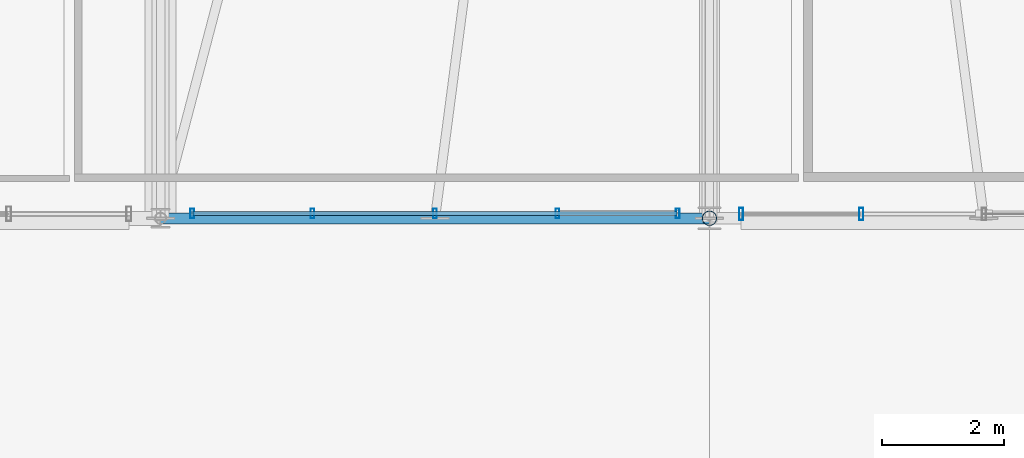
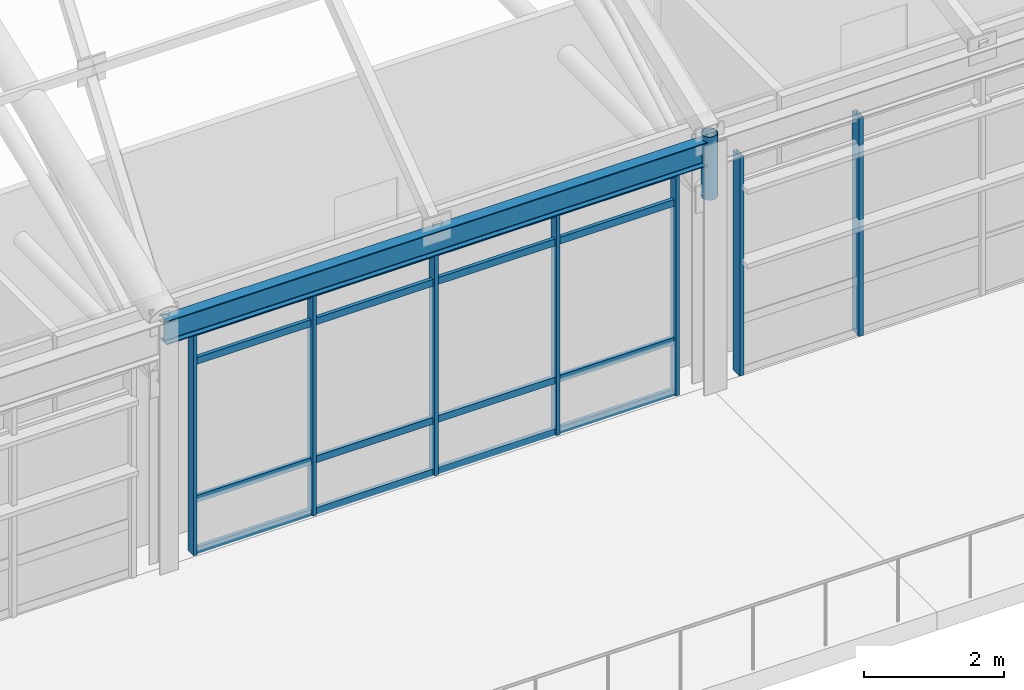
# One storey, part 22 of 168: 12 members, 1 beam, 2 elements without a shape of their own.
"""IFC4 building model written with IfcOpenShell, lengths in metres."""

from ifc_helpers import new_model, si_unit, direction, frame, origin, origin_2d, place, context, subcontext, project, spatial, hollow_rectangle, hollow_circle, i_section, extrude, material, material_profile, profile_set, type_object, element, aggregate, save


model = new_model("IFC4")

# Units and contexts
model_context = context("Model", 3, precision=1e-05, world=origin(), true_north=direction((0.0, 1.0)))
body_context = subcontext(model_context, "Body", "Model", "MODEL_VIEW")
ifc_project = project(units=[si_unit("LENGTHUNIT", "METRE"), si_unit("AREAUNIT", "SQUARE_METRE"), si_unit("VOLUMEUNIT", "CUBIC_METRE"), si_unit("PLANEANGLEUNIT", "RADIAN"), si_unit("MASSUNIT", "GRAM", prefix="KILO"), si_unit("THERMODYNAMICTEMPERATUREUNIT", "KELVIN"), si_unit("POWERUNIT", "WATT")], contexts=[model_context])

# Site, building, storey
site_placement = place(None, origin())
site = spatial("IfcSite", under=ifc_project, at=site_placement, CompositionType="ELEMENT")
building_placement = place(site_placement, origin())
building = spatial("IfcBuilding", under=site, at=building_placement, Name="Tepalcoro Natatorium and Aquatics Centre", CompositionType="ELEMENT")
storey_placement = place(building_placement, frame((0.0, 0.0, 10.199951171875)))
storey = spatial("IfcBuildingStorey", under=building, at=storey_placement, Name="L02", CompositionType="ELEMENT", Elevation=10.199951171875)

# Curtain wall, members
ifc_material_1 = material(Name="Bronze-Anodised Extruded Aluminium Alloy EN AW-6063 T6", Category="aluminium")
curtain_wall_type_1 = type_object("IfcCurtainWallType", Name="CW_V5_LOWER", PredefinedType="USERDEFINED", material=ifc_material_1)
curtain_wall_1_placement = place(storey_placement, origin())
curtain_wall_1 = element("IfcCurtainWall", 1, at=curtain_wall_1_placement, inside=storey, type_object=curtain_wall_type_1, Name="V1 L02 S Unitised Curtain Wall Bay 4", ObjectType="UNITISED STOREFRONT", PredefinedType="USERDEFINED")
ifc_material_profile_1 = material_profile(ifc_material_1, hollow_rectangle(XDim=0.06005859375, YDim=0.159912109375, WallThickness=0.00390625, at=origin_2d()), Name="AL60X160X4")
ifc_profile_set_1 = profile_set([ifc_material_profile_1], Name="Bronze-Anodised Extruded Aluminium Alloy EN AW-6063 T6")
member_type_1 = type_object("IfcMemberType", Name="CW_MUL_60x160", PredefinedType="MULLION", material=ifc_profile_set_1)
member_1_placement = place(storey_placement, frame((80.52001953125, 13.080078125, 0.02001953125), z_axis=(0.0, 0.0, 1.0), x_axis=(1.0, 0.0, 0.0)))
member_1 = element("IfcMember", 2, at=member_1_placement, type_object=member_type_1, Name="CW_V5_LOWER Curtain Wall Mullion", PredefinedType="MULLION", context=body_context, shape_type="SweptSolid", body=[
    extrude(hollow_rectangle(XDim=0.06005859375, YDim=0.159912109375, WallThickness=0.00390625, at=origin_2d()), origin(), (0.0, 0.0, 1.0), 3.866943359375),
])
member_2_placement = place(storey_placement, frame((82.489990234375, 13.080078125, 0.02001953125), z_axis=(0.0, 0.0, 1.0), x_axis=(1.0, 0.0, 0.0)))
member_2 = element("IfcMember", 3, at=member_2_placement, type_object=member_type_1, Name="CW_V5_LOWER Curtain Wall Mullion", PredefinedType="MULLION", context=body_context, shape_type="SweptSolid", body=[
    extrude(hollow_rectangle(XDim=0.06005859375, YDim=0.159912109375, WallThickness=0.00390625, at=origin_2d()), origin(), (0.0, 0.0, 1.0), 3.866943359375),
])
member_3_placement = place(storey_placement, frame((84.5, 13.080078125, 0.02001953125), z_axis=(0.0, 0.0, 1.0), x_axis=(1.0, 0.0, 0.0)))
member_3 = element("IfcMember", 4, at=member_3_placement, type_object=member_type_1, Name="CW_V5_LOWER Curtain Wall Mullion", PredefinedType="MULLION", context=body_context, shape_type="SweptSolid", body=[
    extrude(hollow_rectangle(XDim=0.06005859375, YDim=0.159912109375, WallThickness=0.00390625, at=origin_2d()), origin(), (0.0, 0.0, 1.0), 3.866943359375),
])
member_4_placement = place(storey_placement, frame((86.510009765625, 13.080078125, 0.02001953125), z_axis=(0.0, 0.0, 1.0), x_axis=(1.0, 0.0, 0.0)))
member_4 = element("IfcMember", 5, at=member_4_placement, type_object=member_type_1, Name="CW_V5_LOWER Curtain Wall Mullion", PredefinedType="MULLION", context=body_context, shape_type="SweptSolid", body=[
    extrude(hollow_rectangle(XDim=0.06005859375, YDim=0.159912109375, WallThickness=0.00390625, at=origin_2d()), origin(), (0.0, 0.0, 1.0), 3.866943359375),
])
member_5_placement = place(storey_placement, frame((88.47998046875, 13.080078125, 0.02001953125), z_axis=(0.0, 0.0, 1.0), x_axis=(1.0, 0.0, 0.0)))
member_5 = element("IfcMember", 6, at=member_5_placement, type_object=member_type_1, Name="CW_V5_LOWER Curtain Wall Mullion", PredefinedType="MULLION", context=body_context, shape_type="SweptSolid", body=[
    extrude(hollow_rectangle(XDim=0.06005859375, YDim=0.159912109375, WallThickness=0.00390625, at=origin_2d()), origin(), (0.0, 0.0, 1.0), 3.866943359375),
])

curtain_wall_type_2 = type_object("IfcCurtainWallType", Name="CW_V5_UPPER", PredefinedType="USERDEFINED", material=ifc_material_1)
curtain_wall_2_placement = place(storey_placement, origin())
curtain_wall_2 = element("IfcCurtainWall", 7, at=curtain_wall_2_placement, inside=storey, type_object=curtain_wall_type_2, Name="V1 L02 S Unitised Curtain Wall Bay 5", ObjectType="FACETED SOLAR GLAZING", PredefinedType="USERDEFINED")
ifc_material_profile_2 = material_profile(ifc_material_1, hollow_rectangle(XDim=0.070068359375, YDim=0.199951171875, WallThickness=0.0048828125, at=origin_2d()), Name="AL70X200X5")
ifc_profile_set_2 = profile_set([ifc_material_profile_2], Name="Bronze-Anodised Extruded Aluminium Alloy EN AW-6063 T6")
member_type_2 = type_object("IfcMemberType", Name="CW_MUL_70x200", PredefinedType="MULLION", material=ifc_profile_set_2)
member_6_placement = place(storey_placement, frame((89.52001953125, 13.0712890625, 0.02001953125), z_axis=(0.0, 0.0, 1.0), x_axis=(1.0, 0.0, 0.0)))
member_6 = element("IfcMember", 8, at=member_6_placement, type_object=member_type_2, Name="CW_V5_UPPER Curtain Wall Mullion", PredefinedType="MULLION", context=body_context, shape_type="SweptSolid", body=[
    extrude(hollow_rectangle(XDim=0.070068359375, YDim=0.199951171875, WallThickness=0.0048828125, at=origin_2d()), origin(), (0.0, 0.0, 1.0), 3.820068359375),
])
member_7_placement = place(storey_placement, frame((91.489990234375, 13.0712890625, 0.02001953125), z_axis=(0.0, 0.0, 1.0), x_axis=(1.0, 0.0, 0.0)))
member_7 = element("IfcMember", 9, at=member_7_placement, type_object=member_type_2, Name="CW_V5_UPPER Curtain Wall Mullion", PredefinedType="MULLION", context=body_context, shape_type="SweptSolid", body=[
    extrude(hollow_rectangle(XDim=0.070068359375, YDim=0.199951171875, WallThickness=0.0048828125, at=origin_2d()), origin(), (0.0, 0.0, 1.0), 3.820068359375),
])
aggregate(curtain_wall_2, [member_6, member_7])

# Member
ifc_material_profile_3 = material_profile(ifc_material_1, hollow_rectangle(XDim=0.06005859375, YDim=0.1201171875, WallThickness=0.00390625, at=origin_2d()), Name="AL60X120X4")
ifc_profile_set_3 = profile_set([ifc_material_profile_3], Name="Bronze-Anodised Extruded Aluminium Alloy EN AW-6063 T6")
member_type_3 = type_object("IfcMemberType", Name="CW_TRN_60x120", PredefinedType="USERDEFINED", material=ifc_profile_set_3)
member_8_placement = place(storey_placement, frame((80.530029296875, 13.080078125, 0.050048828125), z_axis=(1.0, 0.0, 0.0), x_axis=(0.0, 1.0, 0.0)))
member_8 = element("IfcMember", 10, at=member_8_placement, type_object=member_type_3, Name="CW_V5_LOWER Curtain Wall Transom", ObjectType="TRANSOM", PredefinedType="USERDEFINED", context=body_context, shape_type="SweptSolid", body=[
    extrude(hollow_rectangle(XDim=0.06005859375, YDim=0.1201171875, WallThickness=0.00390625, at=origin_2d()), origin(), (0.0, 0.0, 1.0), 7.93994140625),
])

member_9_placement = place(storey_placement, frame((80.530029296875, 13.080078125, 0.949951171875), z_axis=(1.0, 0.0, 0.0), x_axis=(0.0, 1.0, 0.0)))
member_9 = element("IfcMember", 11, at=member_9_placement, type_object=member_type_3, Name="CW_V5_LOWER Curtain Wall Transom", ObjectType="TRANSOM", PredefinedType="USERDEFINED", context=body_context, shape_type="SweptSolid", body=[
    extrude(hollow_rectangle(XDim=0.06005859375, YDim=0.1201171875, WallThickness=0.00390625, at=origin_2d()), origin(), (0.0, 0.0, 1.0), 7.93994140625),
])

member_10_placement = place(storey_placement, frame((80.530029296875, 13.080078125, 3.35693359375), z_axis=(1.0, 0.0, 0.0), x_axis=(0.0, 1.0, 0.0)))
member_10 = element("IfcMember", 12, at=member_10_placement, type_object=member_type_3, Name="CW_V5_LOWER Curtain Wall Transom", ObjectType="TRANSOM", PredefinedType="USERDEFINED", context=body_context, shape_type="SweptSolid", body=[
    extrude(hollow_rectangle(XDim=0.06005859375, YDim=0.1201171875, WallThickness=0.00390625, at=origin_2d()), origin(), (0.0, 0.0, 1.0), 7.93994140625),
])

member_11_placement = place(storey_placement, frame((80.530029296875, 13.080078125, 3.85693359375), z_axis=(1.0, 0.0, 0.0), x_axis=(0.0, 1.0, 0.0)))
member_11 = element("IfcMember", 13, at=member_11_placement, type_object=member_type_3, Name="CW_V5_LOWER Curtain Wall Transom", ObjectType="TRANSOM", PredefinedType="USERDEFINED", context=body_context, shape_type="SweptSolid", body=[
    extrude(hollow_rectangle(XDim=0.06005859375, YDim=0.1201171875, WallThickness=0.00390625, at=origin_2d()), origin(), (0.0, 0.0, 1.0), 7.93994140625),
])

aggregate(curtain_wall_1, [member_1, member_2, member_3, member_4, member_5, member_8, member_9, member_10, member_11])

ifc_material_2 = material(Name="Terracotta Painted Hollow Steel ASTM A500 Grade C (Fy 345 MPa)", Category="masonry")
ifc_material_profile_4 = material_profile(ifc_material_2, hollow_circle(Radius=0.1220703125, WallThickness=0.011962890625, at=origin_2d()), Name="CHS244X12")
ifc_profile_set_4 = profile_set([ifc_material_profile_4], Name="Terracotta Painted Hollow Steel ASTM A500 Grade C (Fy 345 MPa)")
member_type_4 = type_object("IfcMemberType", Name="MB_PS_CHS244x12", PredefinedType="POST", material=ifc_profile_set_4)
member_12_placement = place(storey_placement, frame((89.0, 13.0, 3.324951171875), z_axis=(0.0, 0.0, 1.0), x_axis=(1.0, 0.0, 0.0)))
element("IfcMember", 14, at=member_12_placement, inside=storey, type_object=member_type_4, Name="V1 Arched Truss Vertical Post 5", PredefinedType="POST", context=body_context, shape_type="SweptSolid", body=[
    extrude(hollow_circle(Radius=0.1220703125, WallThickness=0.011962890625, at=origin_2d()), origin(), (0.0, 0.0, 1.0), 1.10009765625),
])

# Beam
ifc_material_3 = material(Name="Steel ASTM A992 Grade 50 (Fy 345 MPa)", Category="steel")
ifc_material_profile_5 = material_profile(ifc_material_3, i_section(OverallWidth=0.179931640625, OverallDepth=0.4130859375, WebThickness=0.010009765625, FlangeThickness=0.01611328125, FilletRadius=0.013916015625, at=origin_2d()), Name="W16X50")
ifc_profile_set_5 = profile_set([ifc_material_profile_5], Name="Steel ASTM A992 Grade 50 (Fy 345 MPa)")
beam_type = type_object("IfcBeamType", Name="SP_HSS300x200x12", PredefinedType="SPANDREL", material=ifc_profile_set_5)
beam_placement = place(storey_placement, frame((80.0, 13.0, 4.128662109375), z_axis=(1.0, 0.0, 0.0), x_axis=(0.0, 1.0, 0.0)))
element("IfcBeam", 15, at=beam_placement, inside=storey, type_object=beam_type, Name="V1 L02 Grid Girder X", PredefinedType="SPANDREL", context=body_context, shape_type="SweptSolid", body=[
    extrude(i_section(OverallWidth=0.179931640625, OverallDepth=0.4130859375, WebThickness=0.010009765625, FlangeThickness=0.01611328125, FilletRadius=0.013916015625, at=origin_2d()), origin(), (0.0, 0.0, 1.0), 9.0),
])

save(model, "model.ifc")
